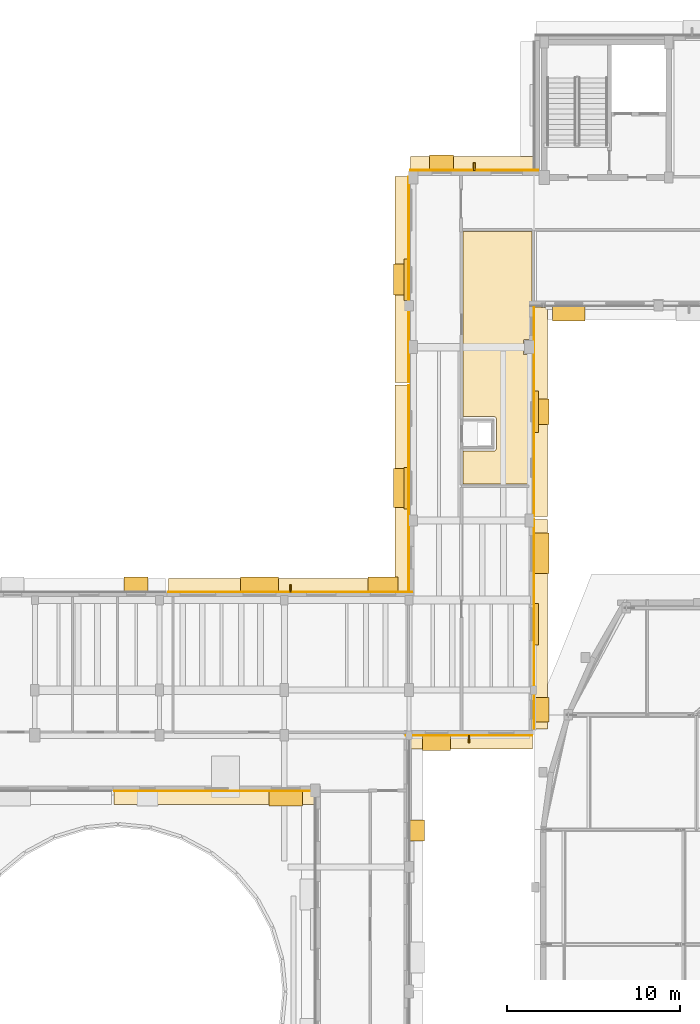
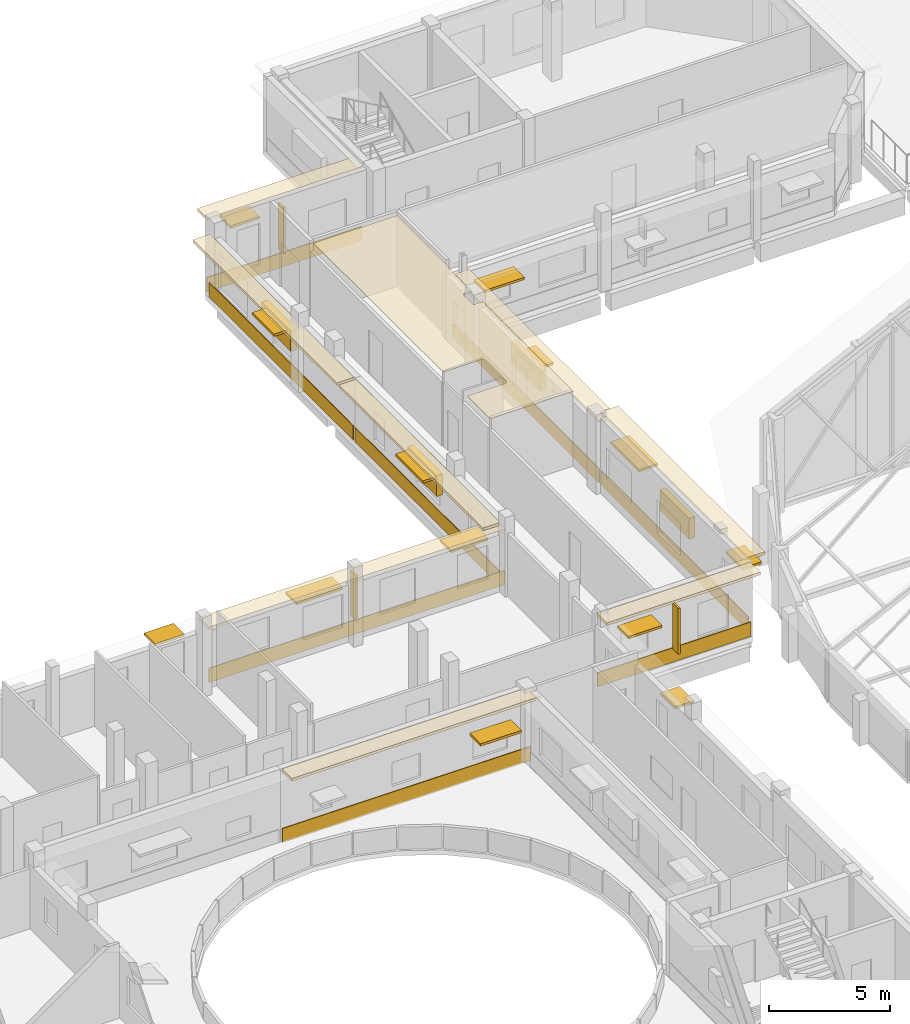
# One storey, part 76 of 78: 20 shading devices, 17 coverings.
"""IFC4 building model written with IfcOpenShell, lengths in metres."""

from ifc_helpers import new_model, si_unit, direction, frame, origin, origin_2d, place, context, subcontext, project, spatial, polyline, rectangle, outline, extrude, material, layer, layer_set, type_object, element, save


model = new_model("IFC4")

# Units and contexts
model_context = context("Model", 3, precision=1e-05, world=origin(), true_north=direction((0.0, 1.0)))
body_context = subcontext(model_context, "Body", "Model", "MODEL_VIEW")
ifc_project = project(units=[si_unit("LENGTHUNIT", "METRE"), si_unit("AREAUNIT", "SQUARE_METRE"), si_unit("VOLUMEUNIT", "CUBIC_METRE"), si_unit("PLANEANGLEUNIT", "RADIAN"), si_unit("MASSUNIT", "GRAM", prefix="KILO")], contexts=[model_context])

# Site, building, storey
site_placement = place(None, origin())
site = spatial("IfcSite", under=ifc_project, at=site_placement, CompositionType="ELEMENT")
building_placement = place(site_placement, origin())
building = spatial("IfcBuilding", under=site, at=building_placement, Name="Kelanivale Promenade Academy", CompositionType="ELEMENT")
storey_placement = place(building_placement, frame((0.0, 0.0, 16.199951171875)))
storey = spatial("IfcBuildingStorey", under=building, at=storey_placement, Name="L04", CompositionType="ELEMENT", Elevation=16.199951171875)

# Coverings
ifc_material_1 = material(Name="Warm ivory Art Deco stucco frieze band 40 mm", Category="masonry")
ifc_layer_1 = layer(ifc_material_1, 0.0400390625)
ifc_layer_set_1 = layer_set([ifc_layer_1], Name="Warm ivory Art Deco stucco frieze band 40 mm")
covering_type_1 = type_object("IfcCoveringType", Name="COV-CLD2 Warm ivory Art Deco stucco frieze ba", PredefinedType="CLADDING", material=ifc_layer_set_1)
covering_1_placement = place(storey_placement, frame((104.489990234375, 68.0, 3.6201171875), z_axis=(0.0, 0.0, 1.0), x_axis=(1.0, 0.0, 0.0)))
element("IfcCovering", 1, at=covering_1_placement, inside=storey, type_object=covering_type_1, Name="Art Deco projecting 820 mm streamline sunshade eyebrow ledge", PredefinedType="CLADDING", context=body_context, shape_type="SweptSolid", body=[
    extrude(rectangle(XDim=11.820068359375, YDim=0.820068359375, at=origin_2d()), origin(), (0.0, 0.0, 1.0), 0.139892578125),
])
covering_2_placement = place(storey_placement, frame((104.489990234375, 68.385009765625, 0.06005859375), z_axis=(0.0, 0.0, 1.0), x_axis=(1.0, 0.0, 0.0)))
element("IfcCovering", 2, at=covering_2_placement, inside=storey, type_object=covering_type_1, Name="Art Deco ivory stucco sill frieze band", PredefinedType="CLADDING", context=body_context, shape_type="SweptSolid", body=[
    extrude(rectangle(XDim=11.820068359375, YDim=0.0400390625, at=origin_2d()), origin(), (0.0, 0.0, 1.0), 0.719970703125),
])
covering_3_placement = place(storey_placement, frame((119.06005859375, 71.199951171875, 3.6201171875), z_axis=(0.0, 0.0, 1.0), x_axis=(1.0, 0.0, 0.0)))
element("IfcCovering", 3, at=covering_3_placement, inside=storey, type_object=covering_type_1, Name="Art Deco projecting 820 mm streamline sunshade eyebrow ledge", PredefinedType="CLADDING", context=body_context, shape_type="SweptSolid", body=[
    extrude(rectangle(XDim=7.320068359375, YDim=0.820068359375, at=origin_2d()), origin(), (0.0, 0.0, 1.0), 0.139892578125),
])
covering_4_placement = place(storey_placement, frame((119.06005859375, 71.5849609375, 0.06005859375), z_axis=(0.0, 0.0, 1.0), x_axis=(1.0, 0.0, 0.0)))
element("IfcCovering", 4, at=covering_4_placement, inside=storey, type_object=covering_type_1, Name="Art Deco ivory stucco sill frieze band", PredefinedType="CLADDING", context=body_context, shape_type="SweptSolid", body=[
    extrude(rectangle(XDim=7.320068359375, YDim=0.0400390625, at=origin_2d()), origin(), (0.0, 0.0, 1.0), 0.719970703125),
])
covering_5_placement = place(storey_placement, frame((123.199951171875, 78.010009765625, 3.6201171875), z_axis=(0.0, 0.0, 1.0), x_axis=(0.0, 1.0, 0.0)))
element("IfcCovering", 5, at=covering_5_placement, inside=storey, type_object=covering_type_1, Name="Art Deco projecting 820 mm streamline sunshade eyebrow ledge", PredefinedType="CLADDING", context=body_context, shape_type="SweptSolid", body=[
    extrude(rectangle(XDim=12.10009765625, YDim=0.820068359375, at=origin_2d()), origin(), (0.0, 0.0, 1.0), 0.139892578125),
])
covering_6_placement = place(storey_placement, frame((122.81494140625, 78.010009765625, 0.06005859375), z_axis=(0.0, 0.0, 1.0), x_axis=(0.0, 1.0, 0.0)))
element("IfcCovering", 6, at=covering_6_placement, inside=storey, type_object=covering_type_1, Name="Art Deco ivory stucco sill frieze band", PredefinedType="CLADDING", context=body_context, shape_type="SweptSolid", body=[
    extrude(rectangle(XDim=12.10009765625, YDim=0.0400390625, at=origin_2d()), origin(), (0.0, 0.0, 1.0), 0.719970703125),
])
covering_7_placement = place(storey_placement, frame((123.199951171875, 90.27001953125, 3.06494140625), z_axis=(0.0, 0.0, 1.0), x_axis=(0.0, 1.0, 0.0)))
element("IfcCovering", 7, at=covering_7_placement, inside=storey, type_object=covering_type_1, Name="Art Deco projecting 820 mm streamline sunshade eyebrow ledge", PredefinedType="CLADDING", context=body_context, shape_type="SweptSolid", body=[
    extrude(rectangle(XDim=12.10009765625, YDim=0.820068359375, at=origin_2d()), origin(), (0.0, 0.0, 1.0), 0.139892578125),
])
covering_8_placement = place(storey_placement, frame((122.81494140625, 90.27001953125, 0.06005859375), z_axis=(0.0, 0.0, 1.0), x_axis=(0.0, 1.0, 0.0)))
element("IfcCovering", 8, at=covering_8_placement, inside=storey, type_object=covering_type_1, Name="Art Deco ivory stucco sill frieze band", PredefinedType="CLADDING", context=body_context, shape_type="SweptSolid", body=[
    extrude(rectangle(XDim=12.10009765625, YDim=0.0400390625, at=origin_2d()), origin(), (0.0, 0.0, 1.0), 0.719970703125),
])
covering_9_placement = place(storey_placement, frame((119.364990234375, 104.60009765625, 3.6201171875), z_axis=(0.0, 0.0, 1.0), x_axis=(-1.0, 0.0, 0.0)))
element("IfcCovering", 9, at=covering_9_placement, inside=storey, type_object=covering_type_1, Name="Art Deco projecting 820 mm streamline sunshade eyebrow ledge", PredefinedType="CLADDING", context=body_context, shape_type="SweptSolid", body=[
    extrude(rectangle(XDim=7.3701171875, YDim=0.820068359375, at=origin_2d()), origin(), (0.0, 0.0, 1.0), 0.139892578125),
])
covering_10_placement = place(storey_placement, frame((119.364990234375, 104.215087890625, 0.06005859375), z_axis=(0.0, 0.0, 1.0), x_axis=(-1.0, 0.0, 0.0)))
element("IfcCovering", 10, at=covering_10_placement, inside=storey, type_object=covering_type_1, Name="Art Deco ivory stucco sill frieze band", PredefinedType="CLADDING", context=body_context, shape_type="SweptSolid", body=[
    extrude(rectangle(XDim=7.3701171875, YDim=0.0400390625, at=origin_2d()), origin(), (0.0, 0.0, 1.0), 0.719970703125),
])
covering_11_placement = place(storey_placement, frame((115.199951171875, 97.903076171875, 3.06494140625), z_axis=(0.0, 0.0, 1.0), x_axis=(0.0, -1.0, 0.0)))
element("IfcCovering", 11, at=covering_11_placement, inside=storey, type_object=covering_type_1, Name="Art Deco projecting 820 mm streamline sunshade eyebrow ledge", PredefinedType="CLADDING", context=body_context, shape_type="SweptSolid", body=[
    extrude(rectangle(XDim=11.875, YDim=0.820068359375, at=origin_2d()), origin(), (0.0, 0.0, 1.0), 0.139892578125),
])
covering_12_placement = place(storey_placement, frame((115.5849609375, 97.903076171875, 0.06005859375), z_axis=(0.0, 0.0, 1.0), x_axis=(0.0, -1.0, 0.0)))
element("IfcCovering", 12, at=covering_12_placement, inside=storey, type_object=covering_type_1, Name="Art Deco ivory stucco sill frieze band", PredefinedType="CLADDING", context=body_context, shape_type="SweptSolid", body=[
    extrude(rectangle(XDim=11.875, YDim=0.0400390625, at=origin_2d()), origin(), (0.0, 0.0, 1.0), 0.719970703125),
])
covering_13_placement = place(storey_placement, frame((115.199951171875, 85.867919921875, 3.06494140625), z_axis=(0.0, 0.0, 1.0), x_axis=(0.0, -1.0, 0.0)))
element("IfcCovering", 13, at=covering_13_placement, inside=storey, type_object=covering_type_1, Name="Art Deco projecting 820 mm streamline sunshade eyebrow ledge", PredefinedType="CLADDING", context=body_context, shape_type="SweptSolid", body=[
    extrude(rectangle(XDim=11.875, YDim=0.820068359375, at=origin_2d()), origin(), (0.0, 0.0, 1.0), 0.139892578125),
])
covering_14_placement = place(storey_placement, frame((115.5849609375, 85.867919921875, 0.06005859375), z_axis=(0.0, 0.0, 1.0), x_axis=(0.0, -1.0, 0.0)))
element("IfcCovering", 14, at=covering_14_placement, inside=storey, type_object=covering_type_1, Name="Art Deco ivory stucco sill frieze band", PredefinedType="CLADDING", context=body_context, shape_type="SweptSolid", body=[
    extrude(rectangle(XDim=11.875, YDim=0.0400390625, at=origin_2d()), origin(), (0.0, 0.0, 1.0), 0.719970703125),
])
covering_15_placement = place(storey_placement, frame((108.7509765625, 80.25, 2.71533203125), z_axis=(0.0, 0.0, 1.0), x_axis=(-1.0, 0.0, 0.0)))
element("IfcCovering", 15, at=covering_15_placement, inside=storey, type_object=covering_type_1, Name="Art Deco projecting 820 mm streamline sunshade eyebrow ledge", PredefinedType="CLADDING", context=body_context, shape_type="SweptSolid", body=[
    extrude(rectangle(XDim=14.096923828125, YDim=0.820068359375, at=origin_2d()), origin(), (0.0, 0.0, 1.0), 0.139892578125),
])
covering_16_placement = place(storey_placement, frame((108.7509765625, 79.864990234375, 0.06005859375), z_axis=(0.0, 0.0, 1.0), x_axis=(-1.0, 0.0, 0.0)))
element("IfcCovering", 16, at=covering_16_placement, inside=storey, type_object=covering_type_1, Name="Art Deco ivory stucco sill frieze band", PredefinedType="CLADDING", context=body_context, shape_type="SweptSolid", body=[
    extrude(rectangle(XDim=14.096923828125, YDim=0.0400390625, at=origin_2d()), origin(), (0.0, 0.0, 1.0), 0.719970703125),
])
ifc_material_2 = material(Name="Acoustic mineral-fibre ceiling tile 25 mm", Category="gypsum")
ifc_layer_2 = layer(ifc_material_2, 0.02490234375)
ifc_layer_set_2 = layer_set([ifc_layer_2], Name="Acoustic mineral-fibre ceiling tile 25 mm")
covering_type_2 = type_object("IfcCoveringType", Name="COV-CLG1 Acoustic mineral-fibre ceiling tile ", PredefinedType="CEILING", material=ifc_layer_set_2)
covering_17_placement = place(storey_placement, frame((0.0, 0.0, 3.550048828125)))
element("IfcCovering", 17, at=covering_17_placement, inside=storey, type_object=covering_type_2, Name="Laboratory Instrument Studio acoustic suspended ceiling", PredefinedType="CEILING", context=body_context, shape_type="SweptSolid", body=[
    extrude(outline(polyline([(122.64990234375, 96.35009765625), (122.64990234375, 96.35693359375), (122.65087890625, 96.368896484375), (122.65087890625, 96.368896484375), (122.652099609375, 96.3798828125), (122.653076171875, 96.385986328125), (122.654052734375, 96.39208984375), (122.656982421875, 96.404052734375), (122.659912109375, 96.412109375), (122.6640625, 96.423095703125), (122.666015625, 96.428955078125), (122.6708984375, 96.43994140625), (122.675048828125, 96.447998046875), (122.680908203125, 96.4580078125), (122.68701171875, 96.466064453125), (122.68994140625, 96.469970703125), (122.68994140625, 100.68994140625), (118.7099609375, 100.68994140625), (118.7099609375, 89.989990234375), (120.506103515625, 89.989990234375), (120.512939453125, 89.989990234375), (120.51904296875, 89.989013671875), (120.52490234375, 89.988037109375), (120.533935546875, 89.986083984375), (120.5419921875, 89.98291015625), (120.544921875, 89.98193359375), (120.548095703125, 89.98095703125), (120.552978515625, 89.97900390625), (120.55810546875, 89.97705078125), (120.56396484375, 89.97509765625), (120.569091796875, 89.971923828125), (120.573974609375, 89.968994140625), (120.5830078125, 89.9619140625), (120.587890625, 89.9580078125), (120.594970703125, 89.952880859375), (120.59912109375, 89.948974609375), (120.60302734375, 89.945068359375), (120.60791015625, 89.93798828125), (120.612060546875, 89.93310546875), (120.618896484375, 89.924072265625), (120.6220703125, 89.9189453125), (120.625, 89.9140625), (120.626953125, 89.907958984375), (120.62890625, 89.903076171875), (120.631103515625, 89.89794921875), (120.632080078125, 89.89501953125), (120.633056640625, 89.89208984375), (120.635986328125, 89.884033203125), (120.637939453125, 89.875), (120.638916015625, 89.868896484375), (120.639892578125, 89.863037109375), (120.639892578125, 89.85595703125), (120.639892578125, 88.14404296875), (120.639892578125, 88.136962890625), (120.638916015625, 88.131103515625), (120.637939453125, 88.125), (120.635986328125, 88.115966796875), (120.633056640625, 88.10791015625), (120.632080078125, 88.10498046875), (120.631103515625, 88.10205078125), (120.62890625, 88.096923828125), (120.626953125, 88.092041015625), (120.625, 88.0859375), (120.6220703125, 88.0810546875), (120.618896484375, 88.075927734375), (120.612060546875, 88.06689453125), (120.60791015625, 88.06201171875), (120.60302734375, 88.054931640625), (120.59912109375, 88.051025390625), (120.594970703125, 88.047119140625), (120.587890625, 88.0419921875), (120.5830078125, 88.0380859375), (120.573974609375, 88.031005859375), (120.569091796875, 88.028076171875), (120.56396484375, 88.02490234375), (120.55810546875, 88.02294921875), (120.552978515625, 88.02099609375), (120.548095703125, 88.01904296875), (120.544921875, 88.01806640625), (120.5419921875, 88.01708984375), (120.533935546875, 88.013916015625), (120.52490234375, 88.011962890625), (120.51904296875, 88.010986328125), (120.512939453125, 88.010009765625), (120.506103515625, 88.010009765625), (118.7099609375, 88.010009765625), (118.7099609375, 86.110107421875), (122.64990234375, 86.110107421875), (122.64990234375, 93.56494140625), (122.2548828125, 93.56494140625), (122.2509765625, 93.56494140625), (122.2470703125, 93.56591796875), (122.242919921875, 93.56689453125), (122.239990234375, 93.568115234375), (122.236083984375, 93.570068359375), (122.23291015625, 93.572021484375), (122.22998046875, 93.573974609375), (122.22705078125, 93.576904296875), (122.22412109375, 93.580078125), (122.221923828125, 93.5830078125), (122.219970703125, 93.5859375), (122.218017578125, 93.590087890625), (122.217041015625, 93.593017578125), (122.216064453125, 93.596923828125), (122.215087890625, 93.60107421875), (122.215087890625, 93.60498046875), (122.215087890625, 94.39501953125), (122.215087890625, 94.39892578125), (122.216064453125, 94.403076171875), (122.217041015625, 94.406982421875), (122.218017578125, 94.409912109375), (122.219970703125, 94.4140625), (122.221923828125, 94.4169921875), (122.22412109375, 94.419921875), (122.22705078125, 94.423095703125), (122.22998046875, 94.426025390625), (122.23291015625, 94.427978515625), (122.236083984375, 94.429931640625), (122.239990234375, 94.431884765625), (122.242919921875, 94.43310546875), (122.2470703125, 94.43408203125), (122.2509765625, 94.43505859375), (122.2548828125, 94.43505859375), (122.64990234375, 94.43505859375), (122.64990234375, 96.35009765625)])), origin(), (0.0, 0.0, 1.0), 0.02490234375),
])

# Shading devices
ifc_material_3 = material(Name="Precast concrete C40/50", Category="concrete")
ifc_layer_3 = layer(ifc_material_3, 0.1201171875)
ifc_layer_set_3 = layer_set([ifc_layer_3], Name="Precast concrete C40/50")
shading_device_type_1 = type_object("IfcShadingDeviceType", Name="SHD-01 Art Deco Sunshade Eyebrow 900mm", PredefinedType="USERDEFINED", material=ifc_layer_set_3)
shading_device_1_placement = place(storey_placement, frame((108.48291015625, 67.9599609375, 2.31005859375), z_axis=(0.0, 0.0, 1.0), x_axis=(1.0, 0.0, 0.0)))
element("IfcShadingDevice", 18, at=shading_device_1_placement, inside=storey, type_object=shading_device_type_1, Name="Art Deco 900 mm precast chajja window sunshade", ObjectType="SUNSHADE", PredefinedType="USERDEFINED", context=body_context, shape_type="SweptSolid", body=[
    extrude(rectangle(XDim=1.949951171875, YDim=0.89990234375, at=origin_2d()), origin(), (0.0, 0.0, 1.0), 0.1201171875),
])
shading_device_2_placement = place(storey_placement, frame((116.0400390625, 66.10205078125, 2.56005859375), z_axis=(0.0, 0.0, 1.0), x_axis=(0.0, 1.0, 0.0)))
element("IfcShadingDevice", 19, at=shading_device_2_placement, inside=storey, type_object=shading_device_type_1, Name="Art Deco 900 mm precast chajja window sunshade", ObjectType="SUNSHADE", PredefinedType="USERDEFINED", context=body_context, shape_type="SweptSolid", body=[
    extrude(rectangle(XDim=1.199951171875, YDim=0.89990234375, at=origin_2d()), origin(), (0.0, 0.0, 1.0), 0.1201171875),
])
shading_device_3_placement = place(storey_placement, frame((117.18994140625, 71.159912109375, 2.659912109375), z_axis=(0.0, 0.0, 1.0), x_axis=(1.0, 0.0, 0.0)))
element("IfcShadingDevice", 20, at=shading_device_3_placement, inside=storey, type_object=shading_device_type_1, Name="Art Deco 900 mm precast chajja window sunshade", ObjectType="SUNSHADE", PredefinedType="USERDEFINED", context=body_context, shape_type="SweptSolid", body=[
    extrude(rectangle(XDim=1.60009765625, YDim=0.89990234375, at=origin_2d()), origin(), (0.0, 0.0, 1.0), 0.1201171875),
])
shading_device_4_placement = place(storey_placement, frame((123.239990234375, 73.072998046875, 2.860107421875), z_axis=(0.0, 0.0, 1.0), x_axis=(0.0, 1.0, 0.0)))
element("IfcShadingDevice", 21, at=shading_device_4_placement, inside=storey, type_object=shading_device_type_1, Name="Art Deco 900 mm precast chajja window sunshade", ObjectType="SUNSHADE", PredefinedType="USERDEFINED", context=body_context, shape_type="SweptSolid", body=[
    extrude(rectangle(XDim=1.39990234375, YDim=0.89990234375, at=origin_2d()), origin(), (0.0, 0.0, 1.0), 0.1201171875),
])
shading_device_5_placement = place(storey_placement, frame((123.239990234375, 82.096923828125, 2.610107421875), z_axis=(0.0, 0.0, 1.0), x_axis=(0.0, 1.0, 0.0)))
element("IfcShadingDevice", 22, at=shading_device_5_placement, inside=storey, type_object=shading_device_type_1, Name="Art Deco 900 mm precast chajja window sunshade", ObjectType="SUNSHADE", PredefinedType="USERDEFINED", context=body_context, shape_type="SweptSolid", body=[
    extrude(rectangle(XDim=2.35009765625, YDim=0.89990234375, at=origin_2d()), origin(), (0.0, 0.0, 1.0), 0.1201171875),
])
shading_device_6_placement = place(storey_placement, frame((123.239990234375, 90.27001953125, 2.4599609375), z_axis=(0.0, 0.0, 1.0), x_axis=(0.0, 1.0, 0.0)))
element("IfcShadingDevice", 23, at=shading_device_6_placement, inside=storey, type_object=shading_device_type_1, Name="Art Deco 900 mm precast chajja window sunshade", ObjectType="SUNSHADE", PredefinedType="USERDEFINED", context=body_context, shape_type="SweptSolid", body=[
    extrude(rectangle(XDim=1.449951171875, YDim=0.89990234375, at=origin_2d()), origin(), (0.0, 0.0, 1.0), 0.1201171875),
])
shading_device_7_placement = place(storey_placement, frame((124.820068359375, 95.9599609375, 2.409912109375), z_axis=(0.0, 0.0, 1.0), x_axis=(1.0, 0.0, 0.0)))
element("IfcShadingDevice", 24, at=shading_device_7_placement, inside=storey, type_object=shading_device_type_1, Name="Art Deco 900 mm precast chajja window sunshade", ObjectType="SUNSHADE", PredefinedType="USERDEFINED", context=body_context, shape_type="SweptSolid", body=[
    extrude(rectangle(XDim=1.89990234375, YDim=0.89990234375, at=origin_2d()), origin(), (0.0, 0.0, 1.0), 0.1201171875),
])
shading_device_8_placement = place(storey_placement, frame((117.48193359375, 104.639892578125, 2.860107421875), z_axis=(0.0, 0.0, 1.0), x_axis=(-1.0, 0.0, 0.0)))
element("IfcShadingDevice", 25, at=shading_device_8_placement, inside=storey, type_object=shading_device_type_1, Name="Art Deco 900 mm precast chajja window sunshade", ObjectType="SUNSHADE", PredefinedType="USERDEFINED", context=body_context, shape_type="SweptSolid", body=[
    extrude(rectangle(XDim=1.39990234375, YDim=0.89990234375, at=origin_2d()), origin(), (0.0, 0.0, 1.0), 0.1201171875),
])
shading_device_9_placement = place(storey_placement, frame((115.159912109375, 97.903076171875, 2.510009765625), z_axis=(0.0, 0.0, 1.0), x_axis=(0.0, -1.0, 0.0)))
element("IfcShadingDevice", 26, at=shading_device_9_placement, inside=storey, type_object=shading_device_type_1, Name="Art Deco 900 mm precast chajja window sunshade", ObjectType="SUNSHADE", PredefinedType="USERDEFINED", context=body_context, shape_type="SweptSolid", body=[
    extrude(rectangle(XDim=1.800048828125, YDim=0.89990234375, at=origin_2d()), origin(), (0.0, 0.0, 1.0), 0.1201171875),
])
shading_device_10_placement = place(storey_placement, frame((115.159912109375, 85.866943359375, 2.56005859375), z_axis=(0.0, 0.0, 1.0), x_axis=(0.0, -1.0, 0.0)))
element("IfcShadingDevice", 27, at=shading_device_10_placement, inside=storey, type_object=shading_device_type_1, Name="Art Deco 900 mm precast chajja window sunshade", ObjectType="SUNSHADE", PredefinedType="USERDEFINED", context=body_context, shape_type="SweptSolid", body=[
    extrude(rectangle(XDim=2.25, YDim=0.89990234375, at=origin_2d()), origin(), (0.0, 0.0, 1.0), 0.1201171875),
])
shading_device_11_placement = place(storey_placement, frame((114.097900390625, 80.2900390625, 2.56005859375), z_axis=(0.0, 0.0, 1.0), x_axis=(-1.0, 0.0, 0.0)))
element("IfcShadingDevice", 28, at=shading_device_11_placement, inside=storey, type_object=shading_device_type_1, Name="Art Deco 900 mm precast chajja window sunshade", ObjectType="SUNSHADE", PredefinedType="USERDEFINED", context=body_context, shape_type="SweptSolid", body=[
    extrude(rectangle(XDim=1.75, YDim=0.89990234375, at=origin_2d()), origin(), (0.0, 0.0, 1.0), 0.1201171875),
])
shading_device_12_placement = place(storey_placement, frame((106.968994140625, 80.2900390625, 2.510009765625), z_axis=(0.0, 0.0, 1.0), x_axis=(-1.0, 0.0, 0.0)))
element("IfcShadingDevice", 29, at=shading_device_12_placement, inside=storey, type_object=shading_device_type_1, Name="Art Deco 900 mm precast chajja window sunshade", ObjectType="SUNSHADE", PredefinedType="USERDEFINED", context=body_context, shape_type="SweptSolid", body=[
    extrude(rectangle(XDim=2.199951171875, YDim=0.89990234375, at=origin_2d()), origin(), (0.0, 0.0, 1.0), 0.1201171875),
])
shading_device_13_placement = place(storey_placement, frame((99.841064453125, 80.2900390625, 2.794921875), z_axis=(0.0, 0.0, 1.0), x_axis=(-1.0, 0.0, 0.0)))
element("IfcShadingDevice", 30, at=shading_device_13_placement, inside=storey, type_object=shading_device_type_1, Name="Art Deco 900 mm precast chajja window sunshade", ObjectType="SUNSHADE", PredefinedType="USERDEFINED", context=body_context, shape_type="SweptSolid", body=[
    extrude(rectangle(XDim=1.39990234375, YDim=0.89990234375, at=origin_2d()), origin(), (0.0, 0.0, 1.0), 0.1201171875),
])
ifc_material_4 = material(Name="Bronze anodised aluminium EN AW-6063 T6", Category="aluminium")
ifc_layer_4 = layer(ifc_material_4, 0.080078125)
ifc_layer_set_4 = layer_set([ifc_layer_4], Name="Bronze anodised aluminium EN AW-6063 T6")
shading_device_type_2 = type_object("IfcShadingDeviceType", Name="SHD-02 Perforated Brise-Soleil Screen", PredefinedType="JALOUSIE", material=ifc_layer_set_4)
for number, where, z_axis, x_axis, name in (
    (31, (122.93505859375, 78.010009765625, 1.72509765625), (0.0, 0.0, 1.0), (0.0, 1.0, 0.0), "Perforated Art Deco brise-soleil louvre screen"),
    (32, (122.93505859375, 90.27001953125, 1.72509765625), (0.0, 0.0, 1.0), (0.0, 1.0, 0.0), "Perforated Art Deco brise-soleil louvre screen"),
    (33, (115.465087890625, 97.903076171875, 1.72509765625), (0.0, 0.0, 1.0), (0.0, -1.0, 0.0), "Perforated Art Deco brise-soleil louvre screen"),
    (34, (115.465087890625, 85.867919921875, 1.72509765625), (0.0, 0.0, 1.0), (0.0, -1.0, 0.0), "Perforated Art Deco brise-soleil louvre screen"),
):
    element("IfcShadingDevice", number, at=place(storey_placement, frame(where, z_axis=z_axis, x_axis=x_axis)), inside=storey, type_object=shading_device_type_2, Name=name, PredefinedType="JALOUSIE", context=body_context, shape_type="SweptSolid", body=[
        extrude(rectangle(XDim=2.39990234375, YDim=0.280029296875, at=origin_2d()), origin(), (0.0, 0.0, 1.0), 1.050048828125),
    ])
ifc_layer_5 = layer(ifc_material_4, 0.10009765625)
ifc_layer_set_5 = layer_set([ifc_layer_5], Name="Bronze anodised aluminium EN AW-6063 T6")
shading_device_type_3 = type_object("IfcShadingDeviceType", Name="SHD-03 Vertical Fluted Solar Fin", PredefinedType="USERDEFINED", material=ifc_layer_set_5)
for number, where, z_axis, x_axis, name in (
    (35, (119.06005859375, 71.3798828125, 0.7001953125), (0.0, 0.0, 1.0), (1.0, 0.0, 0.0), "Vertical fluted Art Deco solar fin"),
    (36, (119.364990234375, 104.419921875, 0.7001953125), (0.0, 0.0, 1.0), (-1.0, 0.0, 0.0), "Vertical fluted Art Deco solar fin"),
    (37, (108.7509765625, 80.070068359375, 0.7001953125), (0.0, 0.0, 1.0), (-1.0, 0.0, 0.0), "Vertical fluted Art Deco solar fin"),
):
    element("IfcShadingDevice", number, at=place(storey_placement, frame(where, z_axis=z_axis, x_axis=x_axis)), inside=storey, type_object=shading_device_type_3, Name=name, ObjectType="SOLAR FIN", PredefinedType="USERDEFINED", context=body_context, shape_type="SweptSolid", body=[
        extrude(rectangle(XDim=0.10009765625, YDim=0.449951171875, at=origin_2d()), origin(), (0.0, 0.0, 1.0), 2.300048828125),
    ])

save(model, "model.ifc")
